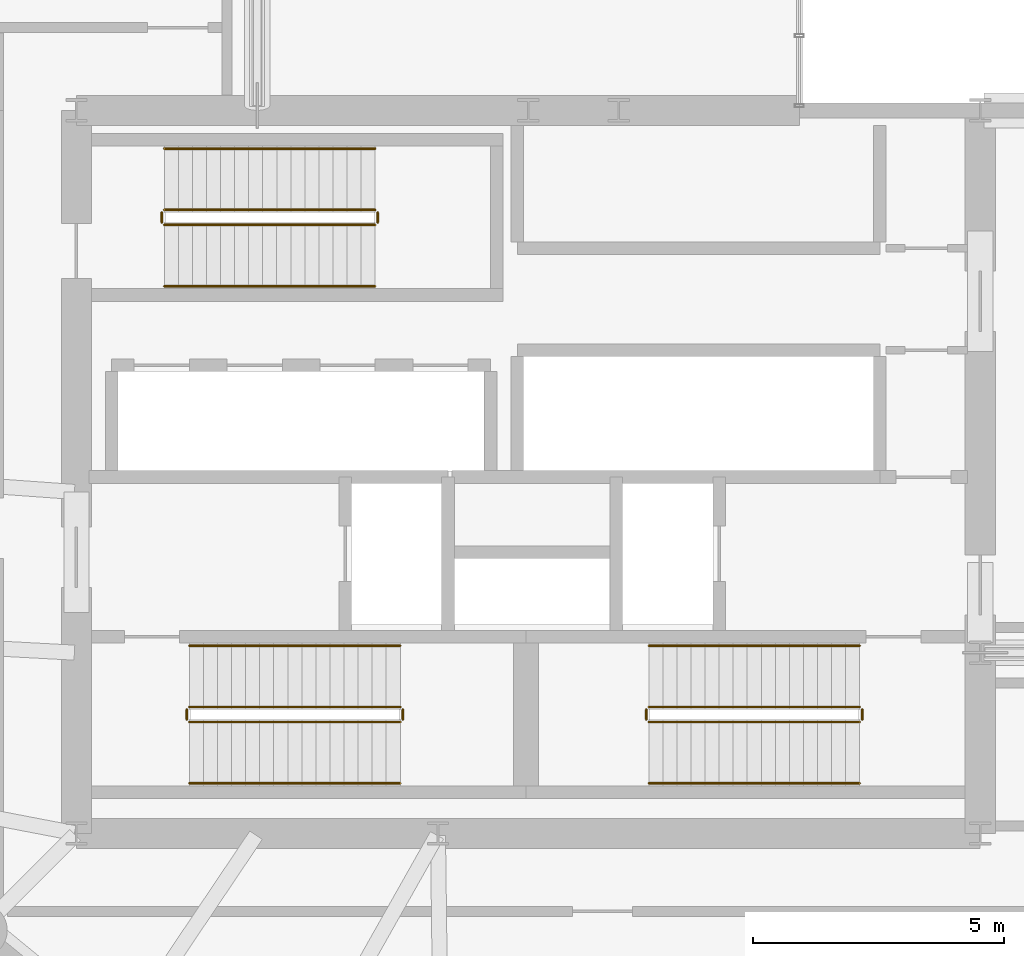
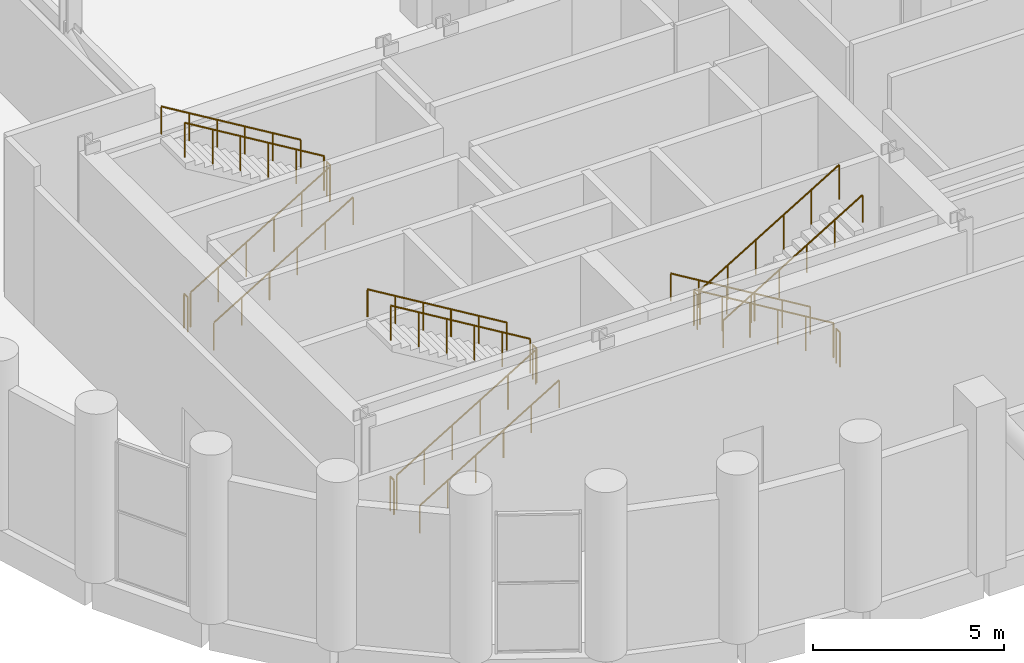
# One storey, part 27 of 27: 18 railings.
"""IFC4 building model written with IfcOpenShell, lengths in metres."""

import ifcopenshell
import ifcopenshell.guid

model = None  # the IFC model being written
_history = None  # IfcOwnerHistory: only IFC2X3 demands one
_inside = {}  # id of a spatial element -> (the spatial element, [elements in it])
_under = {}  # id of a project, library or spatial element -> (it, [spatial elements below it])
_declared = {}  # id of a project -> (the project, [libraries it declares])
_typed = {}  # id of a type object -> (the type object, [elements of that type])
_made_of = {}  # id of a material, layer set ... -> (it, [elements and type objects made of it])


def new_model(schema):
    """Start an empty IFC model of exactly this schema.

    Asked for "IFC4X3", IfcOpenShell would pick the latest addendum, in which some entities
    have other attributes; the version numbers below select the first issue.
    IFC2X3 requires an IfcOwnerHistory on every rooted entity: one is made here for all.
    """
    global model, _history
    if schema == "IFC4X3":
        model = ifcopenshell.file(schema_version=(4, 3, 0, 0))
    else:
        model = ifcopenshell.file(schema=schema)
    _inside.clear()
    _under.clear()
    _declared.clear()
    _typed.clear()
    _made_of.clear()
    _history = None
    if model.schema == "IFC2X3":
        org = make("IfcOrganization", Name="unknown")
        user = make(
            "IfcPersonAndOrganization",
            ThePerson=make("IfcPerson", FamilyName="unknown"),
            TheOrganization=org,
        )
        app = make(
            "IfcApplication",
            ApplicationDeveloper=org,
            Version="unknown",
            ApplicationFullName="unknown",
            ApplicationIdentifier="unknown",
        )
        _history = make(
            "IfcOwnerHistory",
            OwningUser=user,
            OwningApplication=app,
            ChangeAction="ADDED",
            CreationDate=0,
        )
    return model


def make(cls, **values):
    """One entity of the class cls with the attributes given. An attribute that is None is left unset."""
    return model.create_entity(
        cls, **{name: value for name, value in values.items() if value is not None}
    )


def rooted(cls, **values):
    """An entity with a GlobalId (a new one), such as an element, a storey or a relation."""
    return make(cls, GlobalId=ifcopenshell.guid.new(), OwnerHistory=_history, **values)


def si_unit(unit_type, name, prefix=None):
    """IfcSIUnit, for example si_unit("LENGTHUNIT", "METRE", prefix="MILLI")."""
    return make("IfcSIUnit", UnitType=unit_type, Prefix=prefix, Name=name)


def assignment(units):
    """IfcUnitAssignment: the units of a project."""
    return None if units is None else make("IfcUnitAssignment", Units=units)


def point(xyz):
    """IfcCartesianPoint."""
    return None if xyz is None else make("IfcCartesianPoint", Coordinates=xyz)


def direction(xyz):
    """IfcDirection."""
    return None if xyz is None else make("IfcDirection", DirectionRatios=xyz)


def frame(location, z_axis=None, x_axis=None):
    """IfcAxis2Placement3D, a coordinate frame: its origin and axes. An axis left out is left unset."""
    return make(
        "IfcAxis2Placement3D",
        Location=point(location),
        Axis=direction(z_axis),
        RefDirection=direction(x_axis),
    )


def frame_2d(location, x_axis=None):
    """IfcAxis2Placement2D, a coordinate frame in the plane: its origin and x axis."""
    return make(
        "IfcAxis2Placement2D", Location=point(location), RefDirection=direction(x_axis)
    )


def origin():
    """The frame at (0, 0, 0) with its axes left unset."""
    return frame((0.0, 0.0, 0.0))


def origin_2d():
    """The frame at (0, 0) in the plane with its x axis left unset."""
    return frame_2d((0.0, 0.0))


def place(relative_to, where):
    """IfcLocalPlacement: puts the frame where relative to a parent placement (None: the world)."""
    return make(
        "IfcLocalPlacement", PlacementRelTo=relative_to, RelativePlacement=where
    )


def context(
    kind, dimensions, precision=None, world=None, true_north=None, identifier=None
):
    """IfcGeometricRepresentationContext, for example the 3D "Model" context."""
    return make(
        "IfcGeometricRepresentationContext",
        ContextIdentifier=identifier,
        ContextType=kind,
        CoordinateSpaceDimension=dimensions,
        Precision=precision,
        WorldCoordinateSystem=world,
        TrueNorth=true_north,
    )


def subcontext(parent, identifier, kind, view, scale=None):
    """IfcGeometricRepresentationSubContext, for example "Body" below "Model"."""
    return make(
        "IfcGeometricRepresentationSubContext",
        ContextIdentifier=identifier,
        ContextType=kind,
        ParentContext=parent,
        TargetScale=scale,
        TargetView=view,
    )


def project(units=None, contexts=None):
    """IfcProject with its units and contexts."""
    return rooted(
        "IfcProject",
        Name="project",
        RepresentationContexts=contexts,
        UnitsInContext=assignment(units),
    )


def spatial(cls, under=None, at=None, **own):
    """A site, building, storey or space (cls), placed at a placement, below another one or the project."""
    s = rooted(cls, ObjectPlacement=at, **own)
    if under is not None:
        _under.setdefault(under.id(), (under, []))[1].append(s)
    return s


def profile(cls, at=None, kind="AREA", **sizes):
    """A parametric profile (cls). Its sizes go by their IFC names, for example OverallWidth=200.0."""
    return make(cls, ProfileType=kind, Position=at, **sizes)


def circle(**sizes):
    """IfcCircleProfileDef."""
    return profile("IfcCircleProfileDef", **sizes)


def extrude(swept, where, along, depth):
    """IfcExtrudedAreaSolid: the profile swept, set in the frame where, extruded along a direction by depth."""
    return make(
        "IfcExtrudedAreaSolid",
        SweptArea=swept,
        Position=where,
        ExtrudedDirection=direction(along),
        Depth=depth,
    )


def shape(context_of_items, identifier, shape_type, items):
    """IfcShapeRepresentation: the items that make up one representation, for example the "Body"."""
    return make(
        "IfcShapeRepresentation",
        ContextOfItems=context_of_items,
        RepresentationIdentifier=identifier,
        RepresentationType=shape_type,
        Items=items,
    )


def material(Name=None, Category=None):
    """IfcMaterial."""
    return make("IfcMaterial", Name=Name, Category=Category)


def made_of(thing, what):
    """Note that an element or type object is made of a material, layer set ...; save() writes the relation."""
    if what is not None:
        _made_of.setdefault(what.id(), (what, []))[1].append(thing)
    return thing


def type_object(cls, material=None, **own):
    """A type object (cls), such as IfcWallType, which elements share."""
    return made_of(rooted(cls, **own), material)


def element(
    cls,
    number,
    at=None,
    inside=None,
    cuts=None,
    type_object=None,
    material=None,
    context=None,
    identifier="Body",
    shape_type=None,
    held_by="IfcProductDefinitionShape",
    body=None,
    shapes=None,
    **own,
):
    """One element of the class cls, such as IfcWall. Its Tag is "e" and its number.

    at: its placement. inside: the storey or other place that contains it. cuts: it is an
    opening in that element (IfcRelVoidsElement). A single representation is given by context,
    identifier, shape_type and body (its items); several are given by shapes. held_by: the class
    of the entity that holds the representations. save() writes the other relations.
    """
    e = rooted(cls, Tag="e%d" % number, ObjectPlacement=at, **own)
    if body is not None:
        shapes = [shape(context, identifier, shape_type, body)]
    if shapes is not None:
        e.Representation = make(held_by, Representations=shapes)
    if inside is not None:
        _inside.setdefault(inside.id(), (inside, []))[1].append(e)
    if cuts is not None:
        rooted(
            "IfcRelVoidsElement", RelatingBuildingElement=cuts, RelatedOpeningElement=e
        )
    if type_object is not None:
        _typed.setdefault(type_object.id(), (type_object, []))[1].append(e)
    return made_of(e, material)


def aggregate(whole, parts):
    """IfcRelAggregates: a whole, such as a stair, and the parts it consists of."""
    return rooted("IfcRelAggregates", RelatingObject=whole, RelatedObjects=parts)


def save(model, path):
    """Write the relations noted so far, then the file.

    IfcRelAggregates (storeys below a building ...), IfcRelContainedInSpatialStructure (elements
    in a storey), IfcRelDefinesByType, IfcRelAssociatesMaterial and IfcRelDeclares: one each for
    every whole, place, type object, material and project.
    """
    for whole, parts in _under.values():
        aggregate(whole, parts)
    for where, things in _inside.values():
        rooted(
            "IfcRelContainedInSpatialStructure",
            RelatedElements=things,
            RelatingStructure=where,
        )
    for kind, things in _typed.values():
        rooted("IfcRelDefinesByType", RelatedObjects=things, RelatingType=kind)
    for what, things in _made_of.values():
        rooted("IfcRelAssociatesMaterial", RelatedObjects=things, RelatingMaterial=what)
    for by, libraries in _declared.values():
        rooted("IfcRelDeclares", RelatingContext=by, RelatedDefinitions=libraries)
    model.write(path)


model = new_model("IFC4")

# Units and contexts
model_context = context("Model", 3, precision=1e-05, world=origin(), true_north=direction((0.0, 1.0)))
body_context = subcontext(model_context, "Body", "Model", "MODEL_VIEW")
ifc_project = project(units=[si_unit("LENGTHUNIT", "METRE"), si_unit("AREAUNIT", "SQUARE_METRE"), si_unit("VOLUMEUNIT", "CUBIC_METRE"), si_unit("PLANEANGLEUNIT", "RADIAN"), si_unit("MASSUNIT", "GRAM", prefix="KILO")], contexts=[model_context])

# Site, building, storey
site_placement = place(None, origin())
site = spatial("IfcSite", under=ifc_project, at=site_placement, CompositionType="ELEMENT")
building_placement = place(site_placement, origin())
building = spatial("IfcBuilding", under=site, at=building_placement, Name="Solnavia Interchange Tower", CompositionType="ELEMENT")
storey_placement = place(building_placement, frame((0.0, 0.0, 74.699951171875)))
storey = spatial("IfcBuildingStorey", under=building, at=storey_placement, Name="L18", CompositionType="ELEMENT", Elevation=74.699951171875)

# Railings
ifc_material_1 = material(Name="Painted Steel Balustrade", Category="steel")
railing_type_1 = type_object("IfcRailingType", Name="Railing-StairGuard-1100", PredefinedType="GUARDRAIL", material=ifc_material_1)
railing_1_placement = place(storey_placement, frame((16.64990234375, 13.02001953125, 0.168701171875)))
element("IfcRailing", 1, at=railing_1_placement, inside=storey, type_object=railing_type_1, Name="L18 ST-1 stair guard 1", PredefinedType="GUARDRAIL", context=body_context, shape_type="SweptSolid", body=[
    extrude(circle(Radius=0.02392578125, at=origin_2d()), frame((0.0, 0.0, 1.09619140625), z_axis=(0.856489757249, 0.0, 0.516164020179), x_axis=(0.0, 1.0, 0.0)), (0.0, 0.0, 1.0), 4.904052734375),
    extrude(circle(Radius=0.02099609375, at=origin_2d()), origin(), (0.0, 0.0, 1.0), 1.072021484375),
    extrude(circle(Radius=0.02099609375, at=origin_2d()), frame((0.840087890625, 0.0, 0.50634765625)), (0.0, 0.0, 1.0), 1.072021484375),
    extrude(circle(Radius=0.02099609375, at=origin_2d()), frame((1.68017578125, 0.0, 1.012451171875)), (0.0, 0.0, 1.0), 1.072021484375),
    extrude(circle(Radius=0.02099609375, at=origin_2d()), frame((2.52001953125, 0.0, 1.518798828125)), (0.0, 0.0, 1.0), 1.072021484375),
    extrude(circle(Radius=0.02099609375, at=origin_2d()), frame((3.360107421875, 0.0, 2.02490234375)), (0.0, 0.0, 1.0), 1.072021484375),
    extrude(circle(Radius=0.02099609375, at=origin_2d()), frame((4.2001953125, 0.0, 2.53125)), (0.0, 0.0, 1.0), 1.072021484375),
])
railing_2_placement = place(storey_placement, frame((20.89990234375, 13.070068359375, 2.699951171875)))
element("IfcRailing", 2, at=railing_2_placement, inside=storey, type_object=railing_type_1, Name="L18 ST-1 stair guard 2", PredefinedType="GUARDRAIL", context=body_context, shape_type="SweptSolid", body=[
    extrude(circle(Radius=0.02392578125, at=origin_2d()), frame((0.0, 0.0, 1.09619140625), z_axis=(0.0, 1.0, 0.0), x_axis=(-1.0, 0.0, 0.0)), (0.0, 0.0, 1.0), 0.199951171875),
    extrude(circle(Radius=0.02099609375, at=origin_2d()), origin(), (0.0, 0.0, 1.0), 1.072021484375),
    extrude(circle(Radius=0.02099609375, at=origin_2d()), frame((0.0, 0.199951171875, 0.0)), (0.0, 0.0, 1.0), 1.072021484375),
])
railing_3_placement = place(storey_placement, frame((20.85009765625, 13.320068359375, 2.868896484375)))
element("IfcRailing", 3, at=railing_3_placement, inside=storey, type_object=railing_type_1, Name="L18 ST-1 stair guard 3", PredefinedType="GUARDRAIL", context=body_context, shape_type="SweptSolid", body=[
    extrude(circle(Radius=0.02392578125, at=origin_2d()), frame((0.0, 0.0, 1.09619140625), z_axis=(-0.856489757249, 0.0, 0.516164020179), x_axis=(0.0, -1.0, 0.0)), (0.0, 0.0, 1.0), 4.904052734375),
    extrude(circle(Radius=0.02099609375, at=origin_2d()), origin(), (0.0, 0.0, 1.0), 1.072021484375),
    extrude(circle(Radius=0.02099609375, at=origin_2d()), frame((-0.840087890625, 0.0, 0.50634765625)), (0.0, 0.0, 1.0), 1.072021484375),
    extrude(circle(Radius=0.02099609375, at=origin_2d()), frame((-1.68017578125, 0.0, 1.012451171875)), (0.0, 0.0, 1.0), 1.072021484375),
    extrude(circle(Radius=0.02099609375, at=origin_2d()), frame((-2.52001953125, 0.0, 1.518798828125)), (0.0, 0.0, 1.0), 1.072021484375),
    extrude(circle(Radius=0.02099609375, at=origin_2d()), frame((-3.360107421875, 0.0, 2.02490234375)), (0.0, 0.0, 1.0), 1.072021484375),
    extrude(circle(Radius=0.02099609375, at=origin_2d()), frame((-4.2001953125, 0.0, 2.53125)), (0.0, 0.0, 1.0), 1.072021484375),
])
railing_4_placement = place(storey_placement, frame((16.60009765625, 13.070068359375, 0.0)))
element("IfcRailing", 4, at=railing_4_placement, inside=storey, type_object=railing_type_1, Name="L18 ST-1 stair guard 4", PredefinedType="GUARDRAIL", context=body_context, shape_type="SweptSolid", body=[
    extrude(circle(Radius=0.02392578125, at=origin_2d()), frame((0.0, 0.0, 1.09619140625), z_axis=(0.0, 1.0, 0.0), x_axis=(-1.0, 0.0, 0.0)), (0.0, 0.0, 1.0), 0.199951171875),
    extrude(circle(Radius=0.02099609375, at=origin_2d()), origin(), (0.0, 0.0, 1.0), 1.072021484375),
    extrude(circle(Radius=0.02099609375, at=origin_2d()), frame((0.0, 0.199951171875, 0.0)), (0.0, 0.0, 1.0), 1.072021484375),
])
railing_5_placement = place(storey_placement, frame((30.0, 13.320068359375, 0.168701171875)))
element("IfcRailing", 5, at=railing_5_placement, inside=storey, type_object=railing_type_1, Name="L18 ST-2 stair guard 1", PredefinedType="GUARDRAIL", context=body_context, shape_type="SweptSolid", body=[
    extrude(circle(Radius=0.02392578125, at=origin_2d()), frame((0.0, 0.0, 1.09619140625), z_axis=(-0.856476492594, 0.0, 0.516186030065), x_axis=(0.0, -1.0, 0.0)), (0.0, 0.0, 1.0), 4.90380859375),
    extrude(circle(Radius=0.02099609375, at=origin_2d()), origin(), (0.0, 0.0, 1.0), 1.072021484375),
    extrude(circle(Radius=0.02099609375, at=origin_2d()), frame((-0.840087890625, 0.0, 0.50634765625)), (0.0, 0.0, 1.0), 1.072021484375),
    extrude(circle(Radius=0.02099609375, at=origin_2d()), frame((-1.679931640625, 0.0, 1.012451171875)), (0.0, 0.0, 1.0), 1.072021484375),
    extrude(circle(Radius=0.02099609375, at=origin_2d()), frame((-2.52001953125, 0.0, 1.518798828125)), (0.0, 0.0, 1.0), 1.072021484375),
    extrude(circle(Radius=0.02099609375, at=origin_2d()), frame((-3.35986328125, 0.0, 2.02490234375)), (0.0, 0.0, 1.0), 1.072021484375),
    extrude(circle(Radius=0.02099609375, at=origin_2d()), frame((-4.199951171875, 0.0, 2.53125)), (0.0, 0.0, 1.0), 1.072021484375),
])
railing_6_placement = place(storey_placement, frame((25.75, 13.27001953125, 2.699951171875)))
element("IfcRailing", 6, at=railing_6_placement, inside=storey, type_object=railing_type_1, Name="L18 ST-2 stair guard 2", PredefinedType="GUARDRAIL", context=body_context, shape_type="SweptSolid", body=[
    extrude(circle(Radius=0.02392578125, at=origin_2d()), frame((0.0, 0.0, 1.09619140625), z_axis=(0.0, -1.0, 0.0), x_axis=(1.0, 0.0, 0.0)), (0.0, 0.0, 1.0), 0.199951171875),
    extrude(circle(Radius=0.02099609375, at=origin_2d()), origin(), (0.0, 0.0, 1.0), 1.072021484375),
    extrude(circle(Radius=0.02099609375, at=origin_2d()), frame((0.0, -0.199951171875, 0.0)), (0.0, 0.0, 1.0), 1.072021484375),
])
railing_7_placement = place(storey_placement, frame((25.800048828125, 13.02001953125, 2.868896484375)))
element("IfcRailing", 7, at=railing_7_placement, inside=storey, type_object=railing_type_1, Name="L18 ST-2 stair guard 3", PredefinedType="GUARDRAIL", context=body_context, shape_type="SweptSolid", body=[
    extrude(circle(Radius=0.02392578125, at=origin_2d()), frame((0.0, 0.0, 1.09619140625), z_axis=(0.856476492594, 0.0, 0.516186030065), x_axis=(0.0, 1.0, 0.0)), (0.0, 0.0, 1.0), 4.90380859375),
    extrude(circle(Radius=0.02099609375, at=origin_2d()), origin(), (0.0, 0.0, 1.0), 1.072021484375),
    extrude(circle(Radius=0.02099609375, at=origin_2d()), frame((0.840087890625, 0.0, 0.50634765625)), (0.0, 0.0, 1.0), 1.072021484375),
    extrude(circle(Radius=0.02099609375, at=origin_2d()), frame((1.679931640625, 0.0, 1.012451171875)), (0.0, 0.0, 1.0), 1.072021484375),
    extrude(circle(Radius=0.02099609375, at=origin_2d()), frame((2.52001953125, 0.0, 1.518798828125)), (0.0, 0.0, 1.0), 1.072021484375),
    extrude(circle(Radius=0.02099609375, at=origin_2d()), frame((3.35986328125, 0.0, 2.02490234375)), (0.0, 0.0, 1.0), 1.072021484375),
    extrude(circle(Radius=0.02099609375, at=origin_2d()), frame((4.199951171875, 0.0, 2.53125)), (0.0, 0.0, 1.0), 1.072021484375),
])
railing_8_placement = place(storey_placement, frame((30.050048828125, 13.27001953125, 0.0)))
element("IfcRailing", 8, at=railing_8_placement, inside=storey, type_object=railing_type_1, Name="L18 ST-2 stair guard 4", PredefinedType="GUARDRAIL", context=body_context, shape_type="SweptSolid", body=[
    extrude(circle(Radius=0.02392578125, at=origin_2d()), frame((0.0, 0.0, 1.09619140625), z_axis=(0.0, -1.0, 0.0), x_axis=(1.0, 0.0, 0.0)), (0.0, 0.0, 1.0), 0.199951171875),
    extrude(circle(Radius=0.02099609375, at=origin_2d()), origin(), (0.0, 0.0, 1.0), 1.072021484375),
    extrude(circle(Radius=0.02099609375, at=origin_2d()), frame((0.0, -0.199951171875, 0.0)), (0.0, 0.0, 1.0), 1.072021484375),
])
railing_9_placement = place(storey_placement, frame((16.14990234375, 22.919921875, 0.168701171875)))
element("IfcRailing", 9, at=railing_9_placement, inside=storey, type_object=railing_type_1, Name="L18 ST-3 stair guard 1", PredefinedType="GUARDRAIL", context=body_context, shape_type="SweptSolid", body=[
    extrude(circle(Radius=0.02392578125, at=origin_2d()), frame((0.0, 0.0, 1.09619140625), z_axis=(0.856489757249, 0.0, 0.516164020179), x_axis=(0.0, 1.0, 0.0)), (0.0, 0.0, 1.0), 4.904052734375),
    extrude(circle(Radius=0.02099609375, at=origin_2d()), origin(), (0.0, 0.0, 1.0), 1.072021484375),
    extrude(circle(Radius=0.02099609375, at=origin_2d()), frame((0.840087890625, 0.0, 0.50634765625)), (0.0, 0.0, 1.0), 1.072021484375),
    extrude(circle(Radius=0.02099609375, at=origin_2d()), frame((1.68017578125, 0.0, 1.012451171875)), (0.0, 0.0, 1.0), 1.072021484375),
    extrude(circle(Radius=0.02099609375, at=origin_2d()), frame((2.52001953125, 0.0, 1.518798828125)), (0.0, 0.0, 1.0), 1.072021484375),
    extrude(circle(Radius=0.02099609375, at=origin_2d()), frame((3.360107421875, 0.0, 2.02490234375)), (0.0, 0.0, 1.0), 1.072021484375),
    extrude(circle(Radius=0.02099609375, at=origin_2d()), frame((4.2001953125, 0.0, 2.53125)), (0.0, 0.0, 1.0), 1.072021484375),
])
railing_10_placement = place(storey_placement, frame((20.39990234375, 22.969970703125, 2.699951171875)))
element("IfcRailing", 10, at=railing_10_placement, inside=storey, type_object=railing_type_1, Name="L18 ST-3 stair guard 2", PredefinedType="GUARDRAIL", context=body_context, shape_type="SweptSolid", body=[
    extrude(circle(Radius=0.02392578125, at=origin_2d()), frame((0.0, 0.0, 1.09619140625), z_axis=(0.0, 1.0, 0.0), x_axis=(-1.0, 0.0, 0.0)), (0.0, 0.0, 1.0), 0.199951171875),
    extrude(circle(Radius=0.02099609375, at=origin_2d()), origin(), (0.0, 0.0, 1.0), 1.072021484375),
    extrude(circle(Radius=0.02099609375, at=origin_2d()), frame((0.0, 0.199951171875, 0.0)), (0.0, 0.0, 1.0), 1.072021484375),
])
railing_11_placement = place(storey_placement, frame((20.35009765625, 23.219970703125, 2.868896484375)))
element("IfcRailing", 11, at=railing_11_placement, inside=storey, type_object=railing_type_1, Name="L18 ST-3 stair guard 3", PredefinedType="GUARDRAIL", context=body_context, shape_type="SweptSolid", body=[
    extrude(circle(Radius=0.02392578125, at=origin_2d()), frame((0.0, 0.0, 1.09619140625), z_axis=(-0.856489757249, 0.0, 0.516164020179), x_axis=(0.0, -1.0, 0.0)), (0.0, 0.0, 1.0), 4.904052734375),
    extrude(circle(Radius=0.02099609375, at=origin_2d()), origin(), (0.0, 0.0, 1.0), 1.072021484375),
    extrude(circle(Radius=0.02099609375, at=origin_2d()), frame((-0.840087890625, 0.0, 0.50634765625)), (0.0, 0.0, 1.0), 1.072021484375),
    extrude(circle(Radius=0.02099609375, at=origin_2d()), frame((-1.68017578125, 0.0, 1.012451171875)), (0.0, 0.0, 1.0), 1.072021484375),
    extrude(circle(Radius=0.02099609375, at=origin_2d()), frame((-2.52001953125, 0.0, 1.518798828125)), (0.0, 0.0, 1.0), 1.072021484375),
    extrude(circle(Radius=0.02099609375, at=origin_2d()), frame((-3.360107421875, 0.0, 2.02490234375)), (0.0, 0.0, 1.0), 1.072021484375),
    extrude(circle(Radius=0.02099609375, at=origin_2d()), frame((-4.2001953125, 0.0, 2.53125)), (0.0, 0.0, 1.0), 1.072021484375),
])
railing_12_placement = place(storey_placement, frame((16.10009765625, 22.969970703125, 0.0)))
element("IfcRailing", 12, at=railing_12_placement, inside=storey, type_object=railing_type_1, Name="L18 ST-3 stair guard 4", PredefinedType="GUARDRAIL", context=body_context, shape_type="SweptSolid", body=[
    extrude(circle(Radius=0.02392578125, at=origin_2d()), frame((0.0, 0.0, 1.09619140625), z_axis=(0.0, 1.0, 0.0), x_axis=(-1.0, 0.0, 0.0)), (0.0, 0.0, 1.0), 0.199951171875),
    extrude(circle(Radius=0.02099609375, at=origin_2d()), origin(), (0.0, 0.0, 1.0), 1.072021484375),
    extrude(circle(Radius=0.02099609375, at=origin_2d()), frame((0.0, 0.199951171875, 0.0)), (0.0, 0.0, 1.0), 1.072021484375),
])
ifc_material_2 = material(Name="Brushed Stainless Steel", Category="steel")
railing_type_2 = type_object("IfcRailingType", Name="Railing-StairHandrail-900", PredefinedType="HANDRAIL", material=ifc_material_2)
railing_13_placement = place(storey_placement, frame((16.64990234375, 11.800048828125, 0.168701171875)))
element("IfcRailing", 13, at=railing_13_placement, inside=storey, type_object=railing_type_2, Name="L18 ST-1 stair handrail 1", PredefinedType="HANDRAIL", context=body_context, shape_type="SweptSolid", body=[
    extrude(circle(Radius=0.02392578125, at=origin_2d()), frame((0.0, 0.0, 0.8759765625), z_axis=(0.856489757249, 0.0, 0.516164020179), x_axis=(0.0, 1.0, 0.0)), (0.0, 0.0, 1.0), 4.904052734375),
    extrude(circle(Radius=0.02099609375, at=origin_2d()), origin(), (0.0, 0.0, 1.0), 0.851806640625),
    extrude(circle(Radius=0.02099609375, at=origin_2d()), frame((0.840087890625, 0.0, 0.50634765625)), (0.0, 0.0, 1.0), 0.851806640625),
    extrude(circle(Radius=0.02099609375, at=origin_2d()), frame((1.68017578125, 0.0, 1.012451171875)), (0.0, 0.0, 1.0), 0.851806640625),
    extrude(circle(Radius=0.02099609375, at=origin_2d()), frame((2.52001953125, 0.0, 1.518798828125)), (0.0, 0.0, 1.0), 0.851806640625),
    extrude(circle(Radius=0.02099609375, at=origin_2d()), frame((3.360107421875, 0.0, 2.02490234375)), (0.0, 0.0, 1.0), 0.851806640625),
    extrude(circle(Radius=0.02099609375, at=origin_2d()), frame((4.2001953125, 0.0, 2.53125)), (0.0, 0.0, 1.0), 0.851806640625),
])
railing_14_placement = place(storey_placement, frame((20.85009765625, 14.5400390625, 2.868896484375)))
element("IfcRailing", 14, at=railing_14_placement, inside=storey, type_object=railing_type_2, Name="L18 ST-1 stair handrail 2", PredefinedType="HANDRAIL", context=body_context, shape_type="SweptSolid", body=[
    extrude(circle(Radius=0.02392578125, at=origin_2d()), frame((0.0, 0.0, 0.8759765625), z_axis=(-0.856489757249, 0.0, 0.516164020179), x_axis=(0.0, -1.0, 0.0)), (0.0, 0.0, 1.0), 4.904052734375),
    extrude(circle(Radius=0.02099609375, at=origin_2d()), origin(), (0.0, 0.0, 1.0), 0.851806640625),
    extrude(circle(Radius=0.02099609375, at=origin_2d()), frame((-0.840087890625, 0.0, 0.50634765625)), (0.0, 0.0, 1.0), 0.851806640625),
    extrude(circle(Radius=0.02099609375, at=origin_2d()), frame((-1.68017578125, 0.0, 1.012451171875)), (0.0, 0.0, 1.0), 0.851806640625),
    extrude(circle(Radius=0.02099609375, at=origin_2d()), frame((-2.52001953125, 0.0, 1.518798828125)), (0.0, 0.0, 1.0), 0.851806640625),
    extrude(circle(Radius=0.02099609375, at=origin_2d()), frame((-3.360107421875, 0.0, 2.02490234375)), (0.0, 0.0, 1.0), 0.851806640625),
    extrude(circle(Radius=0.02099609375, at=origin_2d()), frame((-4.2001953125, 0.0, 2.53125)), (0.0, 0.0, 1.0), 0.851806640625),
])
railing_15_placement = place(storey_placement, frame((30.0, 14.5400390625, 0.168701171875)))
element("IfcRailing", 15, at=railing_15_placement, inside=storey, type_object=railing_type_2, Name="L18 ST-2 stair handrail 1", PredefinedType="HANDRAIL", context=body_context, shape_type="SweptSolid", body=[
    extrude(circle(Radius=0.02392578125, at=origin_2d()), frame((0.0, 0.0, 0.8759765625), z_axis=(-0.856476492594, 0.0, 0.516186030065), x_axis=(0.0, -1.0, 0.0)), (0.0, 0.0, 1.0), 4.90380859375),
    extrude(circle(Radius=0.02099609375, at=origin_2d()), origin(), (0.0, 0.0, 1.0), 0.851806640625),
    extrude(circle(Radius=0.02099609375, at=origin_2d()), frame((-0.840087890625, 0.0, 0.50634765625)), (0.0, 0.0, 1.0), 0.851806640625),
    extrude(circle(Radius=0.02099609375, at=origin_2d()), frame((-1.679931640625, 0.0, 1.012451171875)), (0.0, 0.0, 1.0), 0.851806640625),
    extrude(circle(Radius=0.02099609375, at=origin_2d()), frame((-2.52001953125, 0.0, 1.518798828125)), (0.0, 0.0, 1.0), 0.851806640625),
    extrude(circle(Radius=0.02099609375, at=origin_2d()), frame((-3.35986328125, 0.0, 2.02490234375)), (0.0, 0.0, 1.0), 0.851806640625),
    extrude(circle(Radius=0.02099609375, at=origin_2d()), frame((-4.199951171875, 0.0, 2.53125)), (0.0, 0.0, 1.0), 0.851806640625),
])
railing_16_placement = place(storey_placement, frame((25.800048828125, 11.800048828125, 2.868896484375)))
element("IfcRailing", 16, at=railing_16_placement, inside=storey, type_object=railing_type_2, Name="L18 ST-2 stair handrail 2", PredefinedType="HANDRAIL", context=body_context, shape_type="SweptSolid", body=[
    extrude(circle(Radius=0.02392578125, at=origin_2d()), frame((0.0, 0.0, 0.8759765625), z_axis=(0.856476492594, 0.0, 0.516186030065), x_axis=(0.0, 1.0, 0.0)), (0.0, 0.0, 1.0), 4.90380859375),
    extrude(circle(Radius=0.02099609375, at=origin_2d()), origin(), (0.0, 0.0, 1.0), 0.851806640625),
    extrude(circle(Radius=0.02099609375, at=origin_2d()), frame((0.840087890625, 0.0, 0.50634765625)), (0.0, 0.0, 1.0), 0.851806640625),
    extrude(circle(Radius=0.02099609375, at=origin_2d()), frame((1.679931640625, 0.0, 1.012451171875)), (0.0, 0.0, 1.0), 0.851806640625),
    extrude(circle(Radius=0.02099609375, at=origin_2d()), frame((2.52001953125, 0.0, 1.518798828125)), (0.0, 0.0, 1.0), 0.851806640625),
    extrude(circle(Radius=0.02099609375, at=origin_2d()), frame((3.35986328125, 0.0, 2.02490234375)), (0.0, 0.0, 1.0), 0.851806640625),
    extrude(circle(Radius=0.02099609375, at=origin_2d()), frame((4.199951171875, 0.0, 2.53125)), (0.0, 0.0, 1.0), 0.851806640625),
])
railing_17_placement = place(storey_placement, frame((16.14990234375, 21.699951171875, 0.168701171875)))
element("IfcRailing", 17, at=railing_17_placement, inside=storey, type_object=railing_type_2, Name="L18 ST-3 stair handrail 1", PredefinedType="HANDRAIL", context=body_context, shape_type="SweptSolid", body=[
    extrude(circle(Radius=0.02392578125, at=origin_2d()), frame((0.0, 0.0, 0.8759765625), z_axis=(0.856489757249, 0.0, 0.516164020179), x_axis=(0.0, 1.0, 0.0)), (0.0, 0.0, 1.0), 4.904052734375),
    extrude(circle(Radius=0.02099609375, at=origin_2d()), origin(), (0.0, 0.0, 1.0), 0.851806640625),
    extrude(circle(Radius=0.02099609375, at=origin_2d()), frame((0.840087890625, 0.0, 0.50634765625)), (0.0, 0.0, 1.0), 0.851806640625),
    extrude(circle(Radius=0.02099609375, at=origin_2d()), frame((1.68017578125, 0.0, 1.012451171875)), (0.0, 0.0, 1.0), 0.851806640625),
    extrude(circle(Radius=0.02099609375, at=origin_2d()), frame((2.52001953125, 0.0, 1.518798828125)), (0.0, 0.0, 1.0), 0.851806640625),
    extrude(circle(Radius=0.02099609375, at=origin_2d()), frame((3.360107421875, 0.0, 2.02490234375)), (0.0, 0.0, 1.0), 0.851806640625),
    extrude(circle(Radius=0.02099609375, at=origin_2d()), frame((4.2001953125, 0.0, 2.53125)), (0.0, 0.0, 1.0), 0.851806640625),
])
railing_18_placement = place(storey_placement, frame((20.35009765625, 24.43994140625, 2.868896484375)))
element("IfcRailing", 18, at=railing_18_placement, inside=storey, type_object=railing_type_2, Name="L18 ST-3 stair handrail 2", PredefinedType="HANDRAIL", context=body_context, shape_type="SweptSolid", body=[
    extrude(circle(Radius=0.02392578125, at=origin_2d()), frame((0.0, 0.0, 0.8759765625), z_axis=(-0.856489757249, 0.0, 0.516164020179), x_axis=(0.0, -1.0, 0.0)), (0.0, 0.0, 1.0), 4.904052734375),
    extrude(circle(Radius=0.02099609375, at=origin_2d()), origin(), (0.0, 0.0, 1.0), 0.851806640625),
    extrude(circle(Radius=0.02099609375, at=origin_2d()), frame((-0.840087890625, 0.0, 0.50634765625)), (0.0, 0.0, 1.0), 0.851806640625),
    extrude(circle(Radius=0.02099609375, at=origin_2d()), frame((-1.68017578125, 0.0, 1.012451171875)), (0.0, 0.0, 1.0), 0.851806640625),
    extrude(circle(Radius=0.02099609375, at=origin_2d()), frame((-2.52001953125, 0.0, 1.518798828125)), (0.0, 0.0, 1.0), 0.851806640625),
    extrude(circle(Radius=0.02099609375, at=origin_2d()), frame((-3.360107421875, 0.0, 2.02490234375)), (0.0, 0.0, 1.0), 0.851806640625),
    extrude(circle(Radius=0.02099609375, at=origin_2d()), frame((-4.2001953125, 0.0, 2.53125)), (0.0, 0.0, 1.0), 0.851806640625),
])

save(model, "model.ifc")
